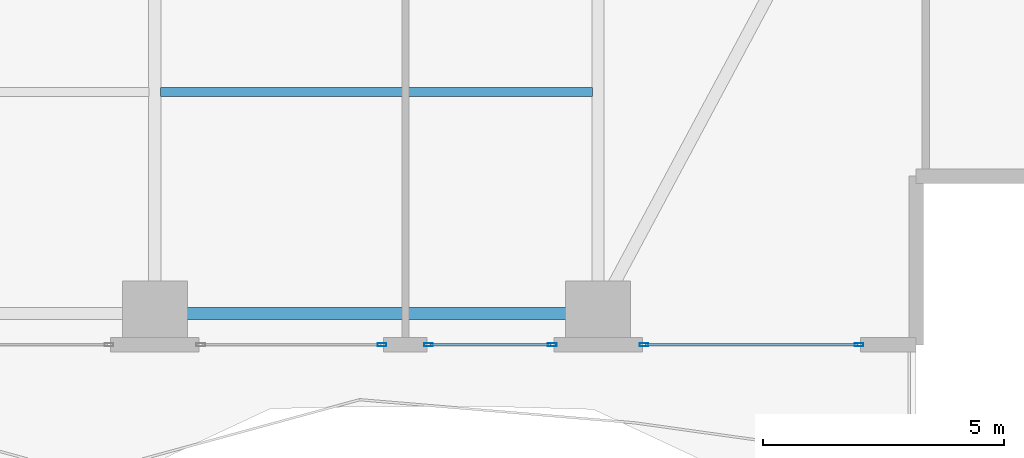
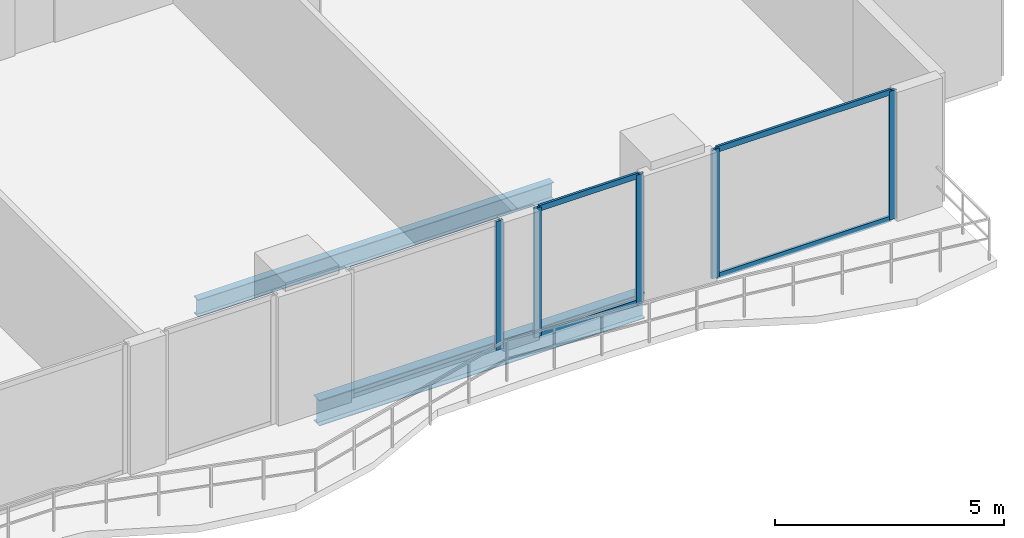
# One storey, part 9 of 27: 9 members, 2 beams, 3 elements without a shape of their own.
"""IFC4 building model written with IfcOpenShell, lengths in metres."""

from ifc_helpers import new_model, si_unit, direction, frame, origin, origin_2d, place, context, subcontext, project, spatial, hollow_rectangle, i_section, extrude, material, layer, layer_set, material_profile, profile_set, type_object, element, aggregate, save


model = new_model("IFC4")

# Units and contexts
model_context = context("Model", 3, precision=1e-05, world=origin(), true_north=direction((0.0, 1.0)))
body_context = subcontext(model_context, "Body", "Model", "MODEL_VIEW")
ifc_project = project(units=[si_unit("LENGTHUNIT", "METRE"), si_unit("AREAUNIT", "SQUARE_METRE"), si_unit("VOLUMEUNIT", "CUBIC_METRE"), si_unit("PLANEANGLEUNIT", "RADIAN"), si_unit("MASSUNIT", "GRAM", prefix="KILO")], contexts=[model_context])

# Site, building, storey
site_placement = place(None, origin())
site = spatial("IfcSite", under=ifc_project, at=site_placement, CompositionType="ELEMENT")
building_placement = place(site_placement, origin())
building = spatial("IfcBuilding", under=site, at=building_placement, Name="Zuhayl Quay Hotel", CompositionType="ELEMENT")
storey_placement = place(building_placement, frame((0.0, 0.0, 124.85009765625)))
storey = spatial("IfcBuildingStorey", under=building, at=storey_placement, Name="L31", CompositionType="ELEMENT", Elevation=124.85009765625)

# Beams
ifc_material_1 = material(Name="Steel ASTM A992 Grade 50", Category="steel")
ifc_material_profile_1 = material_profile(ifc_material_1, i_section(OverallWidth=0.25390625, OverallDepth=0.68310546875, WebThickness=0.012451171875, FlangeThickness=0.018798828125, at=origin_2d()), Name="W27X94")
ifc_profile_set_1 = profile_set([ifc_material_profile_1], Name="Steel ASTM A992 Grade 50")
beam_type_1 = type_object("IfcBeamType", Name="BM_B2_W27X94", PredefinedType="BEAM", material=ifc_profile_set_1)
beam_1_placement = place(storey_placement, frame((5.10009765625, -14.75, -0.5615234375), z_axis=(1.0, 0.0, 0.0), x_axis=(0.0, 1.0, 0.0)))
element("IfcBeam", 1, at=beam_1_placement, inside=storey, type_object=beam_type_1, Name="L31 Floor Beam RG_L31_03", PredefinedType="BEAM", context=body_context, shape_type="SweptSolid", body=[
    extrude(i_section(OverallWidth=0.25390625, OverallDepth=0.68310546875, WebThickness=0.012451171875, FlangeThickness=0.018798828125, at=origin_2d()), origin(), (0.0, 0.0, 1.0), 8.199951171875),
])
ifc_material_profile_2 = material_profile(ifc_material_1, i_section(OverallWidth=0.18994140625, OverallDepth=0.45703125, WebThickness=0.009033203125, FlangeThickness=0.014404296875, at=origin_2d()), Name="W18X50")
ifc_profile_set_2 = profile_set([ifc_material_profile_2], Name="Steel ASTM A992 Grade 50")
beam_type_2 = type_object("IfcBeamType", Name="BM_J2_W18X50", PredefinedType="JOIST", material=ifc_profile_set_2)
beam_2_placement = place(storey_placement, frame((4.718994140625, -10.14990234375, -0.448486328125), z_axis=(1.0, 0.0, 0.0), x_axis=(0.0, 1.0, 0.0)))
element("IfcBeam", 2, at=beam_2_placement, inside=storey, type_object=beam_type_2, Name="L31 Floor Beam FJ_L31_5_3", PredefinedType="JOIST", context=body_context, shape_type="SweptSolid", body=[
    extrude(i_section(OverallWidth=0.18994140625, OverallDepth=0.45703125, WebThickness=0.009033203125, FlangeThickness=0.014404296875, at=origin_2d()), origin(), (0.0, 0.0, 1.0), 8.9619140625),
])

# Curtain wall, members
ifc_material_2 = material(Name="Anodised Aluminium 6063-T6", Category="aluminium")
ifc_layer = layer(ifc_material_2, 0.179931640625, Name="Anodised Aluminium 6063-T6", Category="aluminium")
ifc_layer_set = layer_set([ifc_layer], Name="Anodised Aluminium 6063-T6")
curtain_wall_type = type_object("IfcCurtainWallType", Name="CW_SYS_Z2", PredefinedType="USERDEFINED", material=ifc_layer_set)
curtain_wall_1_placement = place(storey_placement, origin())
curtain_wall_1 = element("IfcCurtainWall", 3, at=curtain_wall_1_placement, inside=storey, type_object=curtain_wall_type, Name="L31 Curtain Wall ENV_L31_S_CW1", ObjectType="UNITISED CURTAIN WALL", PredefinedType="USERDEFINED")
ifc_material_3 = material(Name="Black-anodised aluminium 6063-T6", Category="aluminium")
ifc_material_profile_3 = material_profile(ifc_material_3, hollow_rectangle(XDim=0.06494140625, YDim=0.179931640625, WallThickness=0.00341796875, at=origin_2d()), Name="ALU180X65")
ifc_profile_set_3 = profile_set([ifc_material_profile_3], Name="Black-anodised aluminium 6063-T6")
member_type_1 = type_object("IfcMemberType", Name="MB_CW_MUL_180", PredefinedType="MULLION", material=ifc_profile_set_3)
member_1_placement = place(storey_placement, frame((19.217529296875, -15.39990234375, 0.0), z_axis=(0.0, 0.0, 1.0), x_axis=(0.0, -1.0, 0.0)))
member_1 = element("IfcMember", 4, at=member_1_placement, type_object=member_type_1, Name="CW-Z2 mullion 1", PredefinedType="MULLION", context=body_context, shape_type="SweptSolid", body=[
    extrude(hollow_rectangle(XDim=0.06494140625, YDim=0.179931640625, WallThickness=0.00341796875, at=origin_2d()), origin(), (0.0, 0.0, 1.0), 3.429931640625),
])
member_2_placement = place(storey_placement, frame((14.75244140625, -15.39990234375, 0.0), z_axis=(0.0, 0.0, 1.0), x_axis=(0.0, -1.0, 0.0)))
member_2 = element("IfcMember", 5, at=member_2_placement, type_object=member_type_1, Name="CW-Z2 mullion 2", PredefinedType="MULLION", context=body_context, shape_type="SweptSolid", body=[
    extrude(hollow_rectangle(XDim=0.06494140625, YDim=0.179931640625, WallThickness=0.00341796875, at=origin_2d()), origin(), (0.0, 0.0, 1.0), 3.429931640625),
])

curtain_wall_2_placement = place(storey_placement, origin())
curtain_wall_2 = element("IfcCurtainWall", 6, at=curtain_wall_2_placement, inside=storey, type_object=curtain_wall_type, Name="L31 Curtain Wall ENV_L31_S_CW2", ObjectType="UNITISED CURTAIN WALL", PredefinedType="USERDEFINED")
member_3_placement = place(storey_placement, frame((12.847412109375, -15.39990234375, 0.0), z_axis=(0.0, 0.0, 1.0), x_axis=(0.0, -1.0, 0.0)))
member_3 = element("IfcMember", 7, at=member_3_placement, type_object=member_type_1, Name="CW-Z2 mullion 1", PredefinedType="MULLION", context=body_context, shape_type="SweptSolid", body=[
    extrude(hollow_rectangle(XDim=0.06494140625, YDim=0.179931640625, WallThickness=0.00341796875, at=origin_2d()), origin(), (0.0, 0.0, 1.0), 3.429931640625),
])
member_4_placement = place(storey_placement, frame((10.282470703125, -15.39990234375, 0.0), z_axis=(0.0, 0.0, 1.0), x_axis=(0.0, -1.0, 0.0)))
member_4 = element("IfcMember", 8, at=member_4_placement, type_object=member_type_1, Name="CW-Z2 mullion 2", PredefinedType="MULLION", context=body_context, shape_type="SweptSolid", body=[
    extrude(hollow_rectangle(XDim=0.06494140625, YDim=0.179931640625, WallThickness=0.00341796875, at=origin_2d()), origin(), (0.0, 0.0, 1.0), 3.429931640625),
])

# Curtain wall, member
curtain_wall_3_placement = place(storey_placement, origin())
curtain_wall_3 = element("IfcCurtainWall", 9, at=curtain_wall_3_placement, inside=storey, type_object=curtain_wall_type, Name="L31 Curtain Wall ENV_L31_S_CW3", ObjectType="UNITISED CURTAIN WALL", PredefinedType="USERDEFINED")
member_5_placement = place(storey_placement, frame((9.3173828125, -15.39990234375, 0.0), z_axis=(0.0, 0.0, 1.0), x_axis=(0.0, -1.0, 0.0)))
member_5 = element("IfcMember", 10, at=member_5_placement, type_object=member_type_1, Name="CW-Z2 mullion 1", PredefinedType="MULLION", context=body_context, shape_type="SweptSolid", body=[
    extrude(hollow_rectangle(XDim=0.06494140625, YDim=0.179931640625, WallThickness=0.00341796875, at=origin_2d()), origin(), (0.0, 0.0, 1.0), 3.429931640625),
])
aggregate(curtain_wall_3, [member_5])

# Member
ifc_material_profile_4 = material_profile(ifc_material_3, hollow_rectangle(XDim=0.06005859375, YDim=0.14990234375, WallThickness=0.00341796875, at=origin_2d()), Name="ALU150X60")
ifc_profile_set_4 = profile_set([ifc_material_profile_4], Name="Black-anodised aluminium 6063-T6")
member_type_2 = type_object("IfcMemberType", Name="MB_CW_TRN_150", PredefinedType="USERDEFINED", material=ifc_profile_set_4)
member_6_placement = place(storey_placement, frame((19.18505859375, -15.39990234375, 0.02978515625), z_axis=(-1.0, 0.0, 0.0), x_axis=(0.0, -1.0, 0.0)))
member_6 = element("IfcMember", 11, at=member_6_placement, type_object=member_type_2, Name="CW-Z2 transom 1.1", ObjectType="TRANSOM", PredefinedType="USERDEFINED", context=body_context, shape_type="SweptSolid", body=[
    extrude(hollow_rectangle(XDim=0.06005859375, YDim=0.14990234375, WallThickness=0.00341796875, at=origin_2d()), origin(), (0.0, 0.0, 1.0), 4.400146484375),
])

member_7_placement = place(storey_placement, frame((19.18505859375, -15.39990234375, 3.39990234375), z_axis=(-1.0, 0.0, 0.0), x_axis=(0.0, -1.0, 0.0)))
member_7 = element("IfcMember", 12, at=member_7_placement, type_object=member_type_2, Name="CW-Z2 transom 1.2", ObjectType="TRANSOM", PredefinedType="USERDEFINED", context=body_context, shape_type="SweptSolid", body=[
    extrude(hollow_rectangle(XDim=0.06005859375, YDim=0.14990234375, WallThickness=0.00341796875, at=origin_2d()), origin(), (0.0, 0.0, 1.0), 4.400146484375),
])

aggregate(curtain_wall_1, [member_1, member_2, member_6, member_7])

member_8_placement = place(storey_placement, frame((12.81494140625, -15.39990234375, 0.02978515625), z_axis=(-1.0, 0.0, 0.0), x_axis=(0.0, -1.0, 0.0)))
member_8 = element("IfcMember", 13, at=member_8_placement, type_object=member_type_2, Name="CW-Z2 transom 1.1", ObjectType="TRANSOM", PredefinedType="USERDEFINED", context=body_context, shape_type="SweptSolid", body=[
    extrude(hollow_rectangle(XDim=0.06005859375, YDim=0.14990234375, WallThickness=0.00341796875, at=origin_2d()), origin(), (0.0, 0.0, 1.0), 2.5),
])

member_9_placement = place(storey_placement, frame((12.81494140625, -15.39990234375, 3.39990234375), z_axis=(-1.0, 0.0, 0.0), x_axis=(0.0, -1.0, 0.0)))
member_9 = element("IfcMember", 14, at=member_9_placement, type_object=member_type_2, Name="CW-Z2 transom 1.2", ObjectType="TRANSOM", PredefinedType="USERDEFINED", context=body_context, shape_type="SweptSolid", body=[
    extrude(hollow_rectangle(XDim=0.06005859375, YDim=0.14990234375, WallThickness=0.00341796875, at=origin_2d()), origin(), (0.0, 0.0, 1.0), 2.5),
])

aggregate(curtain_wall_2, [member_3, member_4, member_8, member_9])

save(model, "model.ifc")
